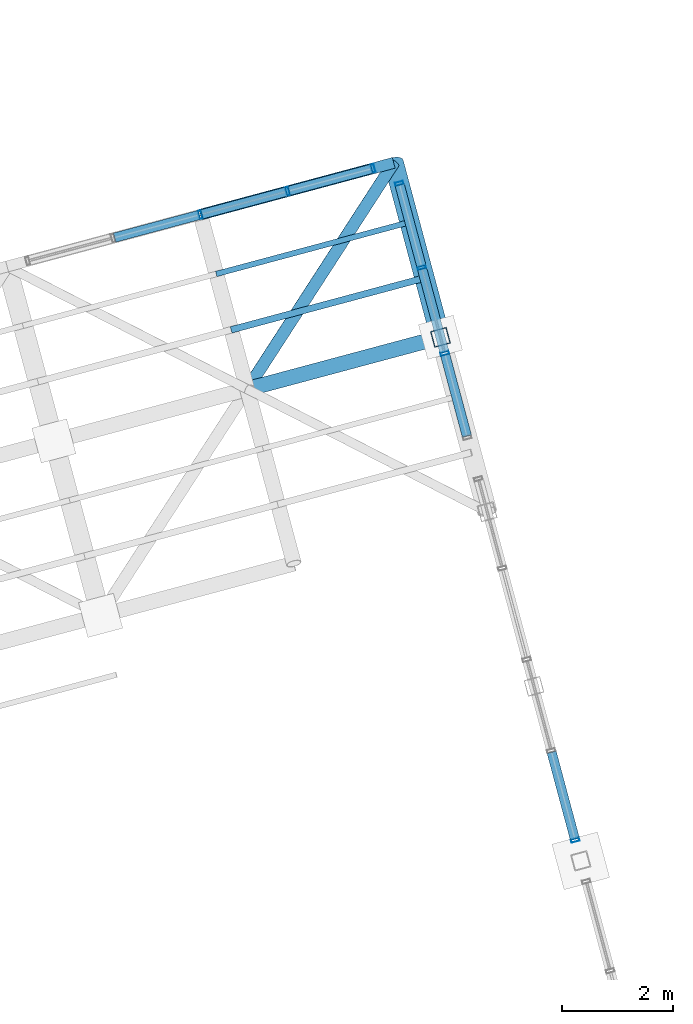
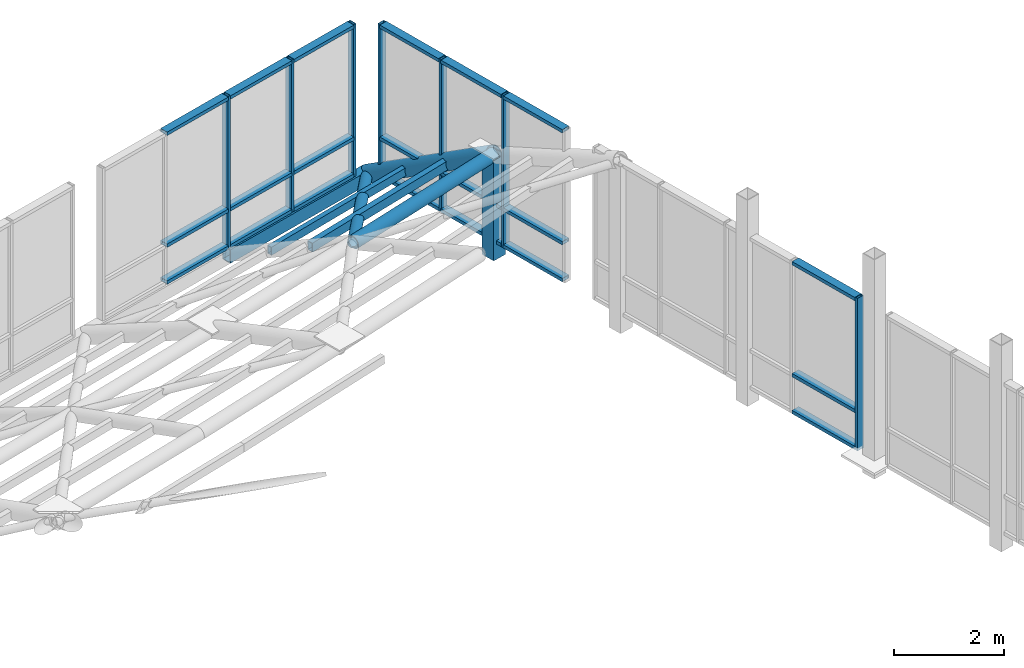
# One storey, part 21 of 29: 35 members, 3 elements without a shape of their own.
"""IFC4 building model written with IfcOpenShell, lengths in metres."""

from ifc_helpers import new_model, si_unit, direction, frame, origin, origin_2d, place, context, subcontext, project, spatial, hollow_rectangle, hollow_circle, extrude, material, layer, layer_set, material_profile, profile_set, type_object, element, aggregate, save


model = new_model("IFC4")

# Units and contexts
model_context = context("Model", 3, precision=1e-05, world=origin(), true_north=direction((0.0, 1.0)))
body_context = subcontext(model_context, "Body", "Model", "MODEL_VIEW")
ifc_project = project(units=[si_unit("LENGTHUNIT", "METRE"), si_unit("AREAUNIT", "SQUARE_METRE"), si_unit("VOLUMEUNIT", "CUBIC_METRE"), si_unit("PLANEANGLEUNIT", "RADIAN"), si_unit("MASSUNIT", "GRAM", prefix="KILO")], contexts=[model_context])

# Site, building, storey
site_placement = place(None, origin())
site = spatial("IfcSite", under=ifc_project, at=site_placement, CompositionType="ELEMENT")
building_placement = place(site_placement, origin())
building = spatial("IfcBuilding", under=site, at=building_placement, Name="Ventoquebrada Cableway Terminal", CompositionType="ELEMENT")
storey_placement = place(building_placement, frame((0.0, 0.0, 18.89990234375)))
storey = spatial("IfcBuildingStorey", under=building, at=storey_placement, Name="L04", CompositionType="ELEMENT", Elevation=18.89990234375)

# Members
ifc_material_1 = material(Name="Steel ASTM A500 Grade C", Category="steel")
ifc_material_profile_1 = material_profile(ifc_material_1, hollow_circle(Radius=0.109619140625, WallThickness=0.010009765625, at=origin_2d()), Name="CHS219.1X10")
ifc_profile_set_1 = profile_set([ifc_material_profile_1], Name="Steel ASTM A500 Grade C")
member_type_1 = type_object("IfcMemberType", Name="BRC-GS01", PredefinedType="BRACE", material=ifc_profile_set_1)
member_1_placement = place(storey_placement, frame((77.385986328125, 100.14501953125, 2.797119140625), z_axis=(0.506875613407, 0.78282401163, -0.360920599785), x_axis=(-0.839402648036, 0.543510068416, 0.0)))
element("IfcMember", 1, at=member_1_placement, inside=storey, type_object=member_type_1, Name="Saddle gridshell diagrid brace GBR-0430", PredefinedType="BRACE", context=body_context, shape_type="SweptSolid", body=[
    extrude(hollow_circle(Radius=0.109619140625, WallThickness=0.010009765625, at=origin_2d()), origin(), (0.0, 0.0, 1.0), 5.200439453125),
])
ifc_material_profile_2 = material_profile(ifc_material_1, hollow_circle(Radius=0.177734375, WallThickness=0.012451171875, at=origin_2d()), Name="CHS355.6X12.5")
ifc_profile_set_2 = profile_set([ifc_material_profile_2], Name="Steel ASTM A500 Grade C")
member_type_2 = type_object("IfcMemberType", Name="CHD-GS01", PredefinedType="CHORD", material=ifc_profile_set_2)
member_2_placement = place(storey_placement, frame((80.863037109375, 101.076904296875, 2.967041015625), z_axis=(-0.218984040485, 0.817328531946, -0.532935325232), x_axis=(-0.965931285943, -0.258798668539, 0.0)))
element("IfcMember", 2, at=member_2_placement, inside=storey, type_object=member_type_2, Name="Saddle gridshell arch chord GCH-0102", PredefinedType="CHORD", context=body_context, shape_type="SweptSolid", body=[
    extrude(hollow_circle(Radius=0.177734375, WallThickness=0.012451171875, at=origin_2d()), origin(), (0.0, 0.0, 1.0), 3.8408203125),
])
ifc_material_profile_3 = material_profile(ifc_material_1, hollow_circle(Radius=0.136474609375, WallThickness=0.012451171875, at=origin_2d()), Name="CHS273.0X12.5")
ifc_profile_set_3 = profile_set([ifc_material_profile_3], Name="Steel ASTM A500 Grade C")
member_type_3 = type_object("IfcMemberType", Name="CHD-GS02", PredefinedType="CHORD", material=ifc_profile_set_3)
member_3_placement = place(storey_placement, frame((77.385986328125, 100.14501953125, 2.797119140625), z_axis=(0.964836795934, 0.258586016717, 0.047151131159), x_axis=(-0.258873944891, 0.965911114263, 0.0)))
element("IfcMember", 3, at=member_3_placement, inside=storey, type_object=member_type_3, Name="Saddle gridshell longitudinal chord GLG-0182", PredefinedType="CHORD", context=body_context, shape_type="SweptSolid", body=[
    extrude(hollow_circle(Radius=0.136474609375, WallThickness=0.012451171875, at=origin_2d()), origin(), (0.0, 0.0, 1.0), 3.603759765625),
])
ifc_material_profile_4 = material_profile(ifc_material_1, hollow_rectangle(XDim=0.199951171875, YDim=0.300048828125, WallThickness=0.012451171875, at=origin_2d()), Name="RHS300X200X12.5")
ifc_profile_set_4 = profile_set([ifc_material_profile_4], Name="Steel ASTM A500 Grade C")
member_type_4 = type_object("IfcMemberType", Name="CHD-GS03", PredefinedType="CHORD", material=ifc_profile_set_4)
member_4_placement = place(storey_placement, frame((76.544921875, 103.283935546875, 0.920166015625), z_axis=(0.965894153822, 0.258937219442, 0.0), x_axis=(-0.258937219442, 0.965894153822, 0.0)))
element("IfcMember", 4, at=member_4_placement, inside=storey, type_object=member_type_4, Name="Saddle gridshell longitudinal chord GLG-0192", PredefinedType="CHORD", context=body_context, shape_type="SweptSolid", body=[
    extrude(hollow_rectangle(XDim=0.199951171875, YDim=0.300048828125, WallThickness=0.012451171875, at=origin_2d()), origin(), (0.0, 0.0, 1.0), 3.599853515625),
])

# Curtain wall, members
ifc_material_2 = material(Name="Anodized thermally-broken aluminium", Category="aluminium")
ifc_layer_1 = layer(ifc_material_2, 0.159912109375)
ifc_layer_set_1 = layer_set([ifc_layer_1], Name="Anodized thermally-broken aluminium")
curtain_wall_type_1 = type_object("IfcCurtainWallType", Name="CW-T45", PredefinedType="USERDEFINED", material=ifc_layer_set_1)
curtain_wall_1_placement = place(storey_placement, origin())
curtain_wall_1 = element("IfcCurtainWall", 5, at=curtain_wall_1_placement, inside=storey, type_object=curtain_wall_type_1, Name="Unitised glazed curtain wall CW-142", ObjectType="UNITISED CURTAIN WALL", PredefinedType="USERDEFINED")
ifc_material_profile_5 = material_profile(ifc_material_2, hollow_rectangle(XDim=0.06005859375, YDim=0.14990234375, WallThickness=0.00390625, at=origin_2d()), Name="CW-MUL-60X150")
ifc_profile_set_5 = profile_set([ifc_material_profile_5], Name="Anodized thermally-broken aluminium")
member_type_5 = type_object("IfcMemberType", Name="CWM-03", PredefinedType="MULLION", material=ifc_profile_set_5)
member_5_placement = place(storey_placement, frame((79.64990234375, 104.115966796875, 1.087158203125), z_axis=(0.0, 0.0, 1.0), x_axis=(-0.965943892913, -0.258751610128, 0.0)))
member_5 = element("IfcMember", 6, at=member_5_placement, type_object=member_type_5, Name="Curtain wall mullion FML-0691", PredefinedType="MULLION", context=body_context, shape_type="SweptSolid", body=[
    extrude(hollow_rectangle(XDim=0.06005859375, YDim=0.14990234375, WallThickness=0.00390625, at=origin_2d()), origin(), (0.0, 0.0, 1.0), 3.373046875),
])
member_6_placement = place(storey_placement, frame((78.114013671875, 103.7041015625, 1.087158203125), z_axis=(0.0, 0.0, 1.0), x_axis=(-0.965943892913, -0.258751610128, 0.0)))
member_6 = element("IfcMember", 7, at=member_6_placement, type_object=member_type_5, Name="Curtain wall mullion FML-0692", PredefinedType="MULLION", context=body_context, shape_type="SweptSolid", body=[
    extrude(hollow_rectangle(XDim=0.06005859375, YDim=0.14990234375, WallThickness=0.00390625, at=origin_2d()), origin(), (0.0, 0.0, 1.0), 3.373046875),
])
member_7_placement = place(storey_placement, frame((76.5439453125, 103.283935546875, 1.087158203125), z_axis=(0.0, 0.0, 1.0), x_axis=(-0.965943892913, -0.258751610128, 0.0)))
member_7 = element("IfcMember", 8, at=member_7_placement, type_object=member_type_5, Name="Curtain wall mullion FML-0693", PredefinedType="MULLION", context=body_context, shape_type="SweptSolid", body=[
    extrude(hollow_rectangle(XDim=0.06005859375, YDim=0.14990234375, WallThickness=0.00390625, at=origin_2d()), origin(), (0.0, 0.0, 1.0), 3.373046875),
])

# Curtain wall, member
ifc_layer_2 = layer(ifc_material_2, 0.159912109375)
ifc_layer_set_2 = layer_set([ifc_layer_2], Name="Anodized thermally-broken aluminium")
curtain_wall_type_2 = type_object("IfcCurtainWallType", Name="CW-T47", PredefinedType="USERDEFINED", material=ifc_layer_set_2)
curtain_wall_2_placement = place(storey_placement, origin())
curtain_wall_2 = element("IfcCurtainWall", 9, at=curtain_wall_2_placement, inside=storey, type_object=curtain_wall_type_2, Name="Unitised glazed curtain wall CW-149", ObjectType="UNITISED CURTAIN WALL", PredefinedType="USERDEFINED")
member_8_placement = place(storey_placement, frame((83.287109375, 92.031005859375, 1.087158203125), z_axis=(0.0, 0.0, 1.0), x_axis=(-0.258835903649, 0.965921308897, 0.0)))
member_8 = element("IfcMember", 10, at=member_8_placement, type_object=member_type_5, Name="Curtain wall mullion FML-0723", PredefinedType="MULLION", context=body_context, shape_type="SweptSolid", body=[
    extrude(hollow_rectangle(XDim=0.06005859375, YDim=0.14990234375, WallThickness=0.00390625, at=origin_2d()), origin(), (0.0, 0.0, 1.0), 3.373046875),
])

# Curtain wall, members
ifc_layer_3 = layer(ifc_material_2, 0.159912109375)
ifc_layer_set_3 = layer_set([ifc_layer_3], Name="Anodized thermally-broken aluminium")
curtain_wall_type_3 = type_object("IfcCurtainWallType", Name="CW-T46", PredefinedType="USERDEFINED", material=ifc_layer_set_3)
curtain_wall_3_placement = place(storey_placement, origin())
curtain_wall_3 = element("IfcCurtainWall", 11, at=curtain_wall_3_placement, inside=storey, type_object=curtain_wall_type_3, Name="Unitised glazed curtain wall CW-150", ObjectType="UNITISED CURTAIN WALL", PredefinedType="USERDEFINED")
member_9_placement = place(storey_placement, frame((80.94091796875, 100.787109375, 1.087158203125), z_axis=(0.0, 0.0, 1.0), x_axis=(-0.258717892168, 0.96595292446, 0.0)))
member_9 = element("IfcMember", 12, at=member_9_placement, type_object=member_type_5, Name="Curtain wall mullion FML-0729", PredefinedType="MULLION", context=body_context, shape_type="SweptSolid", body=[
    extrude(hollow_rectangle(XDim=0.06005859375, YDim=0.14990234375, WallThickness=0.00390625, at=origin_2d()), origin(), (0.0, 0.0, 1.0), 3.373046875),
])
member_10_placement = place(storey_placement, frame((80.527099609375, 102.33203125, 1.087158203125), z_axis=(0.0, 0.0, 1.0), x_axis=(-0.258717892168, 0.96595292446, 0.0)))
member_10 = element("IfcMember", 13, at=member_10_placement, type_object=member_type_5, Name="Curtain wall mullion FML-0730", PredefinedType="MULLION", context=body_context, shape_type="SweptSolid", body=[
    extrude(hollow_rectangle(XDim=0.06005859375, YDim=0.14990234375, WallThickness=0.00390625, at=origin_2d()), origin(), (0.0, 0.0, 1.0), 3.373046875),
])
member_11_placement = place(storey_placement, frame((80.1220703125, 103.843994140625, 1.087158203125), z_axis=(0.0, 0.0, 1.0), x_axis=(-0.258717892168, 0.96595292446, 0.0)))
member_11 = element("IfcMember", 14, at=member_11_placement, type_object=member_type_5, Name="Curtain wall mullion FML-0731", PredefinedType="MULLION", context=body_context, shape_type="SweptSolid", body=[
    extrude(hollow_rectangle(XDim=0.06005859375, YDim=0.14990234375, WallThickness=0.00390625, at=origin_2d()), origin(), (0.0, 0.0, 1.0), 3.373046875),
])

# Member
ifc_material_profile_6 = material_profile(ifc_material_2, hollow_rectangle(XDim=0.074951171875, YDim=0.169921875, WallThickness=0.00439453125, at=origin_2d()), Name="CW-TRN-75X170")
ifc_profile_set_6 = profile_set([ifc_material_profile_6], Name="Anodized thermally-broken aluminium")
member_type_6 = type_object("IfcMemberType", Name="CWT-03", PredefinedType="USERDEFINED", material=ifc_profile_set_6)
member_12_placement = place(storey_placement, frame((79.6259765625, 104.10888671875, 1.130126953125), z_axis=(-0.966050544784, -0.25835313995, 0.0), x_axis=(0.0, 0.0, 1.0)))
member_12 = element("IfcMember", 15, at=member_12_placement, type_object=member_type_6, Name="Curtain wall transom FTR-2028", ObjectType="TRANSOM", PredefinedType="USERDEFINED", context=body_context, shape_type="SweptSolid", body=[
    extrude(hollow_rectangle(XDim=0.074951171875, YDim=0.169921875, WallThickness=0.00439453125, at=origin_2d()), origin(), (0.0, 0.0, 1.0), 1.540283203125),
])

member_13_placement = place(storey_placement, frame((79.6259765625, 104.10888671875, 1.945068359375), z_axis=(-0.966050544784, -0.25835313995, 0.0), x_axis=(0.0, 0.0, 1.0)))
member_13 = element("IfcMember", 16, at=member_13_placement, type_object=member_type_6, Name="Curtain wall transom FTR-2029", ObjectType="TRANSOM", PredefinedType="USERDEFINED", context=body_context, shape_type="SweptSolid", body=[
    extrude(hollow_rectangle(XDim=0.074951171875, YDim=0.169921875, WallThickness=0.00439453125, at=origin_2d()), origin(), (0.0, 0.0, 1.0), 1.540283203125),
])

member_14_placement = place(storey_placement, frame((79.6259765625, 104.10888671875, 4.420166015625), z_axis=(-0.966050544784, -0.25835313995, 0.0), x_axis=(0.0, 0.0, 1.0)))
member_14 = element("IfcMember", 17, at=member_14_placement, type_object=member_type_6, Name="Curtain wall transom FTR-2030", ObjectType="TRANSOM", PredefinedType="USERDEFINED", context=body_context, shape_type="SweptSolid", body=[
    extrude(hollow_rectangle(XDim=0.074951171875, YDim=0.169921875, WallThickness=0.00439453125, at=origin_2d()), origin(), (0.0, 0.0, 1.0), 1.540283203125),
])

member_15_placement = place(storey_placement, frame((78.090087890625, 103.697998046875, 1.130126953125), z_axis=(-0.965860816082, -0.259061544731, 0.0), x_axis=(0.0, 0.0, 1.0)))
member_15 = element("IfcMember", 18, at=member_15_placement, type_object=member_type_6, Name="Curtain wall transom FTR-2031", ObjectType="TRANSOM", PredefinedType="USERDEFINED", context=body_context, shape_type="SweptSolid", body=[
    extrude(hollow_rectangle(XDim=0.074951171875, YDim=0.169921875, WallThickness=0.00439453125, at=origin_2d()), origin(), (0.0, 0.0, 1.0), 1.57470703125),
])

member_16_placement = place(storey_placement, frame((78.090087890625, 103.697998046875, 1.945068359375), z_axis=(-0.965860816082, -0.259061544731, 0.0), x_axis=(0.0, 0.0, 1.0)))
member_16 = element("IfcMember", 19, at=member_16_placement, type_object=member_type_6, Name="Curtain wall transom FTR-2032", ObjectType="TRANSOM", PredefinedType="USERDEFINED", context=body_context, shape_type="SweptSolid", body=[
    extrude(hollow_rectangle(XDim=0.074951171875, YDim=0.169921875, WallThickness=0.00439453125, at=origin_2d()), origin(), (0.0, 0.0, 1.0), 1.57470703125),
])

member_17_placement = place(storey_placement, frame((78.090087890625, 103.697998046875, 4.420166015625), z_axis=(-0.965860816082, -0.259061544731, 0.0), x_axis=(0.0, 0.0, 1.0)))
member_17 = element("IfcMember", 20, at=member_17_placement, type_object=member_type_6, Name="Curtain wall transom FTR-2033", ObjectType="TRANSOM", PredefinedType="USERDEFINED", context=body_context, shape_type="SweptSolid", body=[
    extrude(hollow_rectangle(XDim=0.074951171875, YDim=0.169921875, WallThickness=0.00439453125, at=origin_2d()), origin(), (0.0, 0.0, 1.0), 1.57470703125),
])

member_18_placement = place(storey_placement, frame((76.52001953125, 103.278076171875, 1.130126953125), z_axis=(-0.965860816082, -0.259061544731, 0.0), x_axis=(0.0, 0.0, 1.0)))
member_18 = element("IfcMember", 21, at=member_18_placement, type_object=member_type_6, Name="Curtain wall transom FTR-2034", ObjectType="TRANSOM", PredefinedType="USERDEFINED", context=body_context, shape_type="SweptSolid", body=[
    extrude(hollow_rectangle(XDim=0.074951171875, YDim=0.169921875, WallThickness=0.00439453125, at=origin_2d()), origin(), (0.0, 0.0, 1.0), 1.57470703125),
])

member_19_placement = place(storey_placement, frame((76.52001953125, 103.278076171875, 1.945068359375), z_axis=(-0.965860816082, -0.259061544731, 0.0), x_axis=(0.0, 0.0, 1.0)))
member_19 = element("IfcMember", 22, at=member_19_placement, type_object=member_type_6, Name="Curtain wall transom FTR-2035", ObjectType="TRANSOM", PredefinedType="USERDEFINED", context=body_context, shape_type="SweptSolid", body=[
    extrude(hollow_rectangle(XDim=0.074951171875, YDim=0.169921875, WallThickness=0.00439453125, at=origin_2d()), origin(), (0.0, 0.0, 1.0), 1.57470703125),
])

member_20_placement = place(storey_placement, frame((76.52001953125, 103.278076171875, 4.420166015625), z_axis=(-0.965860816082, -0.259061544731, 0.0), x_axis=(0.0, 0.0, 1.0)))
member_20 = element("IfcMember", 23, at=member_20_placement, type_object=member_type_6, Name="Curtain wall transom FTR-2036", ObjectType="TRANSOM", PredefinedType="USERDEFINED", context=body_context, shape_type="SweptSolid", body=[
    extrude(hollow_rectangle(XDim=0.074951171875, YDim=0.169921875, WallThickness=0.00439453125, at=origin_2d()), origin(), (0.0, 0.0, 1.0), 1.57470703125),
])

aggregate(curtain_wall_1, [member_5, member_6, member_7, member_12, member_13, member_14, member_15, member_16, member_17, member_18, member_19, member_20])

member_21_placement = place(storey_placement, frame((83.280029296875, 92.054931640625, 1.130126953125), z_axis=(-0.258791494835, 0.96593320794, 0.0), x_axis=(0.0, 0.0, 1.0)))
member_21 = element("IfcMember", 24, at=member_21_placement, type_object=member_type_6, Name="Curtain wall transom FTR-2103", ObjectType="TRANSOM", PredefinedType="USERDEFINED", context=body_context, shape_type="SweptSolid", body=[
    extrude(hollow_rectangle(XDim=0.074951171875, YDim=0.169921875, WallThickness=0.00439453125, at=origin_2d()), origin(), (0.0, 0.0, 1.0), 1.614990234375),
])

member_22_placement = place(storey_placement, frame((83.280029296875, 92.054931640625, 1.945068359375), z_axis=(-0.258791494835, 0.96593320794, 0.0), x_axis=(0.0, 0.0, 1.0)))
member_22 = element("IfcMember", 25, at=member_22_placement, type_object=member_type_6, Name="Curtain wall transom FTR-2104", ObjectType="TRANSOM", PredefinedType="USERDEFINED", context=body_context, shape_type="SweptSolid", body=[
    extrude(hollow_rectangle(XDim=0.074951171875, YDim=0.169921875, WallThickness=0.00439453125, at=origin_2d()), origin(), (0.0, 0.0, 1.0), 1.614990234375),
])

member_23_placement = place(storey_placement, frame((83.280029296875, 92.054931640625, 4.420166015625), z_axis=(-0.258791494835, 0.96593320794, 0.0), x_axis=(0.0, 0.0, 1.0)))
member_23 = element("IfcMember", 26, at=member_23_placement, type_object=member_type_6, Name="Curtain wall transom FTR-2105", ObjectType="TRANSOM", PredefinedType="USERDEFINED", context=body_context, shape_type="SweptSolid", body=[
    extrude(hollow_rectangle(XDim=0.074951171875, YDim=0.169921875, WallThickness=0.00439453125, at=origin_2d()), origin(), (0.0, 0.0, 1.0), 1.614990234375),
])

aggregate(curtain_wall_2, [member_8, member_21, member_22, member_23])

member_24_placement = place(storey_placement, frame((81.339111328125, 99.299072265625, 1.130126953125), z_axis=(-0.258725348456, 0.965950927359, 0.0), x_axis=(0.0, 0.0, 1.0)))
member_24 = element("IfcMember", 27, at=member_24_placement, type_object=member_type_6, Name="Curtain wall transom FTR-2115", ObjectType="TRANSOM", PredefinedType="USERDEFINED", context=body_context, shape_type="SweptSolid", body=[
    extrude(hollow_rectangle(XDim=0.074951171875, YDim=0.169921875, WallThickness=0.00439453125, at=origin_2d()), origin(), (0.0, 0.0, 1.0), 1.515380859375),
])

member_25_placement = place(storey_placement, frame((81.339111328125, 99.299072265625, 1.945068359375), z_axis=(-0.258725348456, 0.965950927359, 0.0), x_axis=(0.0, 0.0, 1.0)))
member_25 = element("IfcMember", 28, at=member_25_placement, type_object=member_type_6, Name="Curtain wall transom FTR-2116", ObjectType="TRANSOM", PredefinedType="USERDEFINED", context=body_context, shape_type="SweptSolid", body=[
    extrude(hollow_rectangle(XDim=0.074951171875, YDim=0.169921875, WallThickness=0.00439453125, at=origin_2d()), origin(), (0.0, 0.0, 1.0), 1.515380859375),
])

member_26_placement = place(storey_placement, frame((81.339111328125, 99.299072265625, 4.420166015625), z_axis=(-0.258725348456, 0.965950927359, 0.0), x_axis=(0.0, 0.0, 1.0)))
member_26 = element("IfcMember", 29, at=member_26_placement, type_object=member_type_6, Name="Curtain wall transom FTR-2117", ObjectType="TRANSOM", PredefinedType="USERDEFINED", context=body_context, shape_type="SweptSolid", body=[
    extrude(hollow_rectangle(XDim=0.074951171875, YDim=0.169921875, WallThickness=0.00439453125, at=origin_2d()), origin(), (0.0, 0.0, 1.0), 1.515380859375),
])

member_27_placement = place(storey_placement, frame((80.93505859375, 100.81103515625, 1.130126953125), z_axis=(-0.259397314556, 0.965770693903, 0.0), x_axis=(0.0, 0.0, 1.0)))
member_27 = element("IfcMember", 30, at=member_27_placement, type_object=member_type_6, Name="Curtain wall transom FTR-2118", ObjectType="TRANSOM", PredefinedType="USERDEFINED", context=body_context, shape_type="SweptSolid", body=[
    extrude(hollow_rectangle(XDim=0.074951171875, YDim=0.169921875, WallThickness=0.00439453125, at=origin_2d()), origin(), (0.0, 0.0, 1.0), 1.550048828125),
])

member_28_placement = place(storey_placement, frame((80.93505859375, 100.81103515625, 1.945068359375), z_axis=(-0.259397314556, 0.965770693903, 0.0), x_axis=(0.0, 0.0, 1.0)))
member_28 = element("IfcMember", 31, at=member_28_placement, type_object=member_type_6, Name="Curtain wall transom FTR-2119", ObjectType="TRANSOM", PredefinedType="USERDEFINED", context=body_context, shape_type="SweptSolid", body=[
    extrude(hollow_rectangle(XDim=0.074951171875, YDim=0.169921875, WallThickness=0.00439453125, at=origin_2d()), origin(), (0.0, 0.0, 1.0), 1.550048828125),
])

member_29_placement = place(storey_placement, frame((80.93505859375, 100.81103515625, 4.420166015625), z_axis=(-0.259397314556, 0.965770693903, 0.0), x_axis=(0.0, 0.0, 1.0)))
member_29 = element("IfcMember", 32, at=member_29_placement, type_object=member_type_6, Name="Curtain wall transom FTR-2120", ObjectType="TRANSOM", PredefinedType="USERDEFINED", context=body_context, shape_type="SweptSolid", body=[
    extrude(hollow_rectangle(XDim=0.074951171875, YDim=0.169921875, WallThickness=0.00439453125, at=origin_2d()), origin(), (0.0, 0.0, 1.0), 1.550048828125),
])

member_30_placement = place(storey_placement, frame((80.52099609375, 102.35595703125, 1.130126953125), z_axis=(-0.258685093224, 0.965961708632, 0.0), x_axis=(0.0, 0.0, 1.0)))
member_30 = element("IfcMember", 33, at=member_30_placement, type_object=member_type_6, Name="Curtain wall transom FTR-2121", ObjectType="TRANSOM", PredefinedType="USERDEFINED", context=body_context, shape_type="SweptSolid", body=[
    extrude(hollow_rectangle(XDim=0.074951171875, YDim=0.169921875, WallThickness=0.00439453125, at=origin_2d()), origin(), (0.0, 0.0, 1.0), 1.515625),
])

member_31_placement = place(storey_placement, frame((80.52099609375, 102.35595703125, 1.945068359375), z_axis=(-0.258685093224, 0.965961708632, 0.0), x_axis=(0.0, 0.0, 1.0)))
member_31 = element("IfcMember", 34, at=member_31_placement, type_object=member_type_6, Name="Curtain wall transom FTR-2122", ObjectType="TRANSOM", PredefinedType="USERDEFINED", context=body_context, shape_type="SweptSolid", body=[
    extrude(hollow_rectangle(XDim=0.074951171875, YDim=0.169921875, WallThickness=0.00439453125, at=origin_2d()), origin(), (0.0, 0.0, 1.0), 1.515625),
])

member_32_placement = place(storey_placement, frame((80.52099609375, 102.35595703125, 4.420166015625), z_axis=(-0.258685093224, 0.965961708632, 0.0), x_axis=(0.0, 0.0, 1.0)))
member_32 = element("IfcMember", 35, at=member_32_placement, type_object=member_type_6, Name="Curtain wall transom FTR-2123", ObjectType="TRANSOM", PredefinedType="USERDEFINED", context=body_context, shape_type="SweptSolid", body=[
    extrude(hollow_rectangle(XDim=0.074951171875, YDim=0.169921875, WallThickness=0.00439453125, at=origin_2d()), origin(), (0.0, 0.0, 1.0), 1.515625),
])

aggregate(curtain_wall_3, [member_9, member_10, member_11, member_24, member_25, member_26, member_27, member_28, member_29, member_30, member_31, member_32])

# Members
ifc_material_profile_7 = material_profile(ifc_material_1, hollow_rectangle(XDim=0.1201171875, YDim=0.199951171875, WallThickness=0.008056640625, at=origin_2d()), Name="RHS200X120X8")
ifc_profile_set_7 = profile_set([ifc_material_profile_7], Name="Steel ASTM A500 Grade C")
member_type_7 = type_object("IfcMemberType", Name="PUR-RF01", PredefinedType="PURLIN", material=ifc_profile_set_7)
member_33_placement = place(storey_placement, frame((77.10009765625, 101.2119140625, 2.1591796875), z_axis=(0.965423925374, 0.258829334111, 0.031048673395), x_axis=(-0.258954182729, 0.965889606139, 0.0)))
element("IfcMember", 36, at=member_33_placement, inside=storey, type_object=member_type_7, Name="Gridshell secondary roof purlin GPR-0431", PredefinedType="PURLIN", context=body_context, shape_type="SweptSolid", body=[
    extrude(hollow_rectangle(XDim=0.1201171875, YDim=0.199951171875, WallThickness=0.008056640625, at=origin_2d()), origin(), (0.0, 0.0, 1.0), 3.601318359375),
])
ifc_material_profile_8 = material_profile(ifc_material_1, hollow_rectangle(XDim=0.10009765625, YDim=0.179931640625, WallThickness=0.008056640625, at=origin_2d()), Name="RHS180X100X8")
ifc_profile_set_8 = profile_set([ifc_material_profile_8], Name="Steel ASTM A500 Grade C")
member_type_8 = type_object("IfcMemberType", Name="PUR-RF02", PredefinedType="PURLIN", material=ifc_profile_set_8)
member_34_placement = place(storey_placement, frame((76.8310546875, 102.217041015625, 1.55810546875), z_axis=(0.965785306167, 0.258840227049, 0.016139369672), x_axis=(-0.258873944891, 0.965911114263, 0.0)))
element("IfcMember", 37, at=member_34_placement, inside=storey, type_object=member_type_8, Name="Gridshell secondary roof purlin GPR-0432", PredefinedType="PURLIN", context=body_context, shape_type="SweptSolid", body=[
    extrude(hollow_rectangle(XDim=0.10009765625, YDim=0.179931640625, WallThickness=0.008056640625, at=origin_2d()), origin(), (0.0, 0.0, 1.0), 3.600341796875),
])
ifc_material_profile_9 = material_profile(ifc_material_1, hollow_rectangle(XDim=0.300048828125, YDim=0.300048828125, WallThickness=0.01611328125, at=origin_2d()), Name="HSS300X300X16")
ifc_profile_set_9 = profile_set([ifc_material_profile_9], Name="Steel ASTM A500 Grade C")
member_type_9 = type_object("IfcMemberType", Name="STR-VS01", PredefinedType="STRUT", material=ifc_profile_set_9)
member_35_placement = place(storey_placement, frame((80.863037109375, 101.076904296875, 0.75), z_axis=(0.0, 0.0, 1.0), x_axis=(0.965925826289, 0.258819045103, 0.0)))
element("IfcMember", 38, at=member_35_placement, inside=storey, type_object=member_type_9, Name="Saddle gridshell portal strut GS-ST-0014", PredefinedType="STRUT", context=body_context, shape_type="SweptSolid", body=[
    extrude(hollow_rectangle(XDim=0.300048828125, YDim=0.300048828125, WallThickness=0.01611328125, at=origin_2d()), origin(), (0.0, 0.0, 1.0), 2.217041015625),
])

save(model, "model.ifc")
